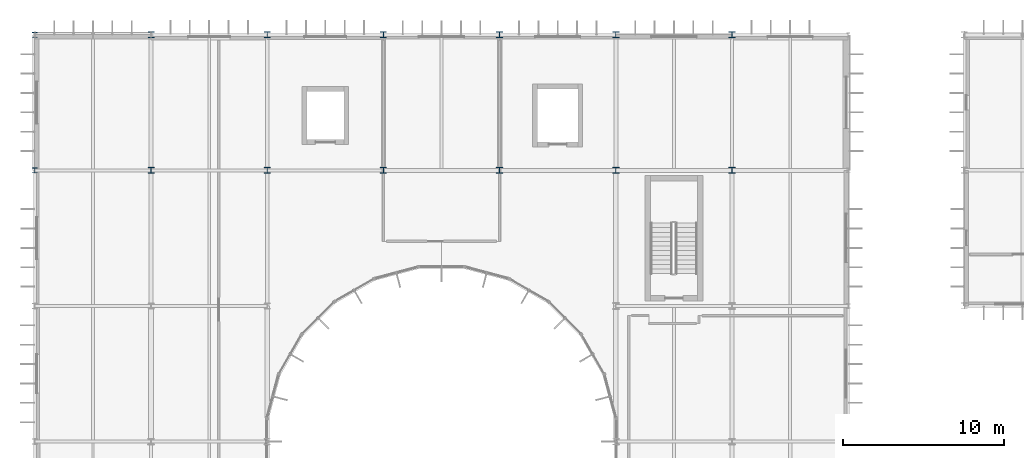
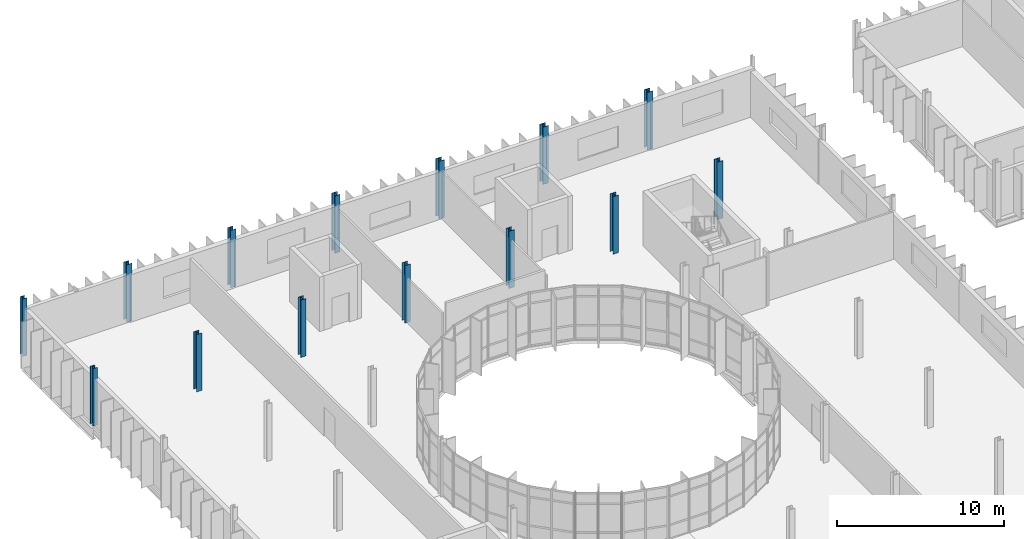
# One storey, part 15 of 119: 14 columns.
"""IFC4 building model written with IfcOpenShell, lengths in metres."""

from ifc_helpers import new_model, si_unit, direction, frame, origin, origin_2d, place, context, subcontext, project, spatial, i_section, extrude, material, material_profile, profile_set, type_object, element, save


model = new_model("IFC4")

# Units and contexts
model_context = context("Model", 3, precision=1e-05, world=origin(), true_north=direction((0.0, 1.0)))
body_context = subcontext(model_context, "Body", "Model", "MODEL_VIEW")
ifc_project = project(units=[si_unit("LENGTHUNIT", "METRE"), si_unit("AREAUNIT", "SQUARE_METRE"), si_unit("VOLUMEUNIT", "CUBIC_METRE"), si_unit("PLANEANGLEUNIT", "RADIAN"), si_unit("MASSUNIT", "GRAM", prefix="KILO")], contexts=[model_context])

# Site, building, storey
site_placement = place(None, origin())
site = spatial("IfcSite", under=ifc_project, at=site_placement, CompositionType="ELEMENT")
building_placement = place(site_placement, origin())
building = spatial("IfcBuilding", under=site, at=building_placement, Name="Qelthora Terrace Specialist Clinic", CompositionType="ELEMENT")
storey_placement = place(building_placement, frame((0.0, 0.0, 4.800048828125)))
storey = spatial("IfcBuildingStorey", under=building, at=storey_placement, Name="L01", CompositionType="ELEMENT", Elevation=4.800048828125)

# Columns
ifc_material = material(Name="Steel S355", Category="steel")
ifc_material_profile_1 = material_profile(ifc_material, i_section(OverallWidth=0.30810546875, OverallDepth=0.318115234375, WebThickness=0.01318359375, FlangeThickness=0.0205078125, FilletRadius=0.01611328125, at=origin_2d()), Name="W310X129")
ifc_profile_set_1 = profile_set([ifc_material_profile_1], Name="Steel S355")
column_type_1 = type_object("IfcColumnType", Name="COL-W310X129", PredefinedType="COLUMN", material=ifc_profile_set_1)
column_1_placement = place(storey_placement, frame((0.0, 100.800048828125, 0.0), z_axis=(0.0, 0.0, 1.0), x_axis=(1.0, 0.0, 0.0)))
element("IfcColumn", 1, at=column_1_placement, inside=storey, type_object=column_type_1, Name="Column L01-013", PredefinedType="COLUMN", context=body_context, shape_type="SweptSolid", body=[
    extrude(i_section(OverallWidth=0.30810546875, OverallDepth=0.318115234375, WebThickness=0.01318359375, FlangeThickness=0.0205078125, FilletRadius=0.01611328125, at=origin_2d()), origin(), (0.0, 0.0, 1.0), 4.199951171875),
])
ifc_material_profile_2 = material_profile(ifc_material, i_section(OverallWidth=0.30908203125, OverallDepth=0.322998046875, WebThickness=0.013916015625, FlangeThickness=0.02294921875, FilletRadius=0.01611328125, at=origin_2d()), Name="W310X143")
ifc_profile_set_2 = profile_set([ifc_material_profile_2], Name="Steel S355")
column_type_2 = type_object("IfcColumnType", Name="COL-W310X143", PredefinedType="COLUMN", material=ifc_profile_set_2)
column_2_placement = place(storey_placement, frame((0.0, 109.199951171875, 0.0), z_axis=(0.0, 0.0, 1.0), x_axis=(1.0, 0.0, 0.0)))
element("IfcColumn", 2, at=column_2_placement, inside=storey, type_object=column_type_2, Name="Column L01-014", PredefinedType="COLUMN", context=body_context, shape_type="SweptSolid", body=[
    extrude(i_section(OverallWidth=0.30908203125, OverallDepth=0.322998046875, WebThickness=0.013916015625, FlangeThickness=0.02294921875, FilletRadius=0.01611328125, at=origin_2d()), origin(), (0.0, 0.0, 1.0), 4.199951171875),
])
ifc_material_profile_3 = material_profile(ifc_material, i_section(OverallWidth=0.37109375, OverallDepth=0.364013671875, WebThickness=0.01318359375, FlangeThickness=0.021728515625, FilletRadius=0.02001953125, at=origin_2d()), Name="W360X162")
ifc_profile_set_3 = profile_set([ifc_material_profile_3], Name="Steel S355")
column_type_3 = type_object("IfcColumnType", Name="COL-W360X162", PredefinedType="COLUMN", material=ifc_profile_set_3)
for number, where, z_axis, x_axis, name in (
    (3, (14.39990234375, 100.800048828125, 0.0), (0.0, 0.0, 1.0), (1.0, 0.0, 0.0), "Column L01-041"),
    (4, (21.60009765625, 109.199951171875, 0.0), (0.0, 0.0, 1.0), (1.0, 0.0, 0.0), "Column L01-053"),
):
    element("IfcColumn", number, at=place(storey_placement, frame(where, z_axis=z_axis, x_axis=x_axis)), inside=storey, type_object=column_type_3, Name=name, PredefinedType="COLUMN", context=body_context, shape_type="SweptSolid", body=[
        extrude(i_section(OverallWidth=0.37109375, OverallDepth=0.364013671875, WebThickness=0.01318359375, FlangeThickness=0.021728515625, FilletRadius=0.02001953125, at=origin_2d()), origin(), (0.0, 0.0, 1.0), 4.199951171875),
    ])
ifc_material_profile_4 = material_profile(ifc_material, i_section(OverallWidth=0.373046875, OverallDepth=0.367919921875, WebThickness=0.014892578125, FlangeThickness=0.02392578125, FilletRadius=0.02001953125, at=origin_2d()), Name="W360X179")
ifc_profile_set_4 = profile_set([ifc_material_profile_4], Name="Steel S355")
column_type_4 = type_object("IfcColumnType", Name="COL-W360X179", PredefinedType="COLUMN", material=ifc_profile_set_4)
for number, where, z_axis, x_axis, name in (
    (5, (7.199951171875, 109.199951171875, 0.0), (0.0, 0.0, 1.0), (1.0, 0.0, 0.0), "Column L01-028"),
    (6, (21.60009765625, 100.800048828125, 0.0), (0.0, 0.0, 1.0), (1.0, 0.0, 0.0), "Column L01-052"),
):
    element("IfcColumn", number, at=place(storey_placement, frame(where, z_axis=z_axis, x_axis=x_axis)), inside=storey, type_object=column_type_4, Name=name, PredefinedType="COLUMN", context=body_context, shape_type="SweptSolid", body=[
        extrude(i_section(OverallWidth=0.373046875, OverallDepth=0.367919921875, WebThickness=0.014892578125, FlangeThickness=0.02392578125, FilletRadius=0.02001953125, at=origin_2d()), origin(), (0.0, 0.0, 1.0), 4.199951171875),
    ])
ifc_material_profile_5 = material_profile(ifc_material, i_section(OverallWidth=0.3740234375, OverallDepth=0.3720703125, WebThickness=0.016357421875, FlangeThickness=0.026123046875, FilletRadius=0.02001953125, at=origin_2d()), Name="W360X196")
ifc_profile_set_5 = profile_set([ifc_material_profile_5], Name="Steel S355")
column_type_5 = type_object("IfcColumnType", Name="COL-W360X196", PredefinedType="COLUMN", material=ifc_profile_set_5)
for number, where, z_axis, x_axis, name in (
    (7, (7.199951171875, 100.800048828125, 0.0), (0.0, 0.0, 1.0), (1.0, 0.0, 0.0), "Column L01-027"),
    (8, (14.39990234375, 109.199951171875, 0.0), (0.0, 0.0, 1.0), (1.0, 0.0, 0.0), "Column L01-042"),
):
    element("IfcColumn", number, at=place(storey_placement, frame(where, z_axis=z_axis, x_axis=x_axis)), inside=storey, type_object=column_type_5, Name=name, PredefinedType="COLUMN", context=body_context, shape_type="SweptSolid", body=[
        extrude(i_section(OverallWidth=0.3740234375, OverallDepth=0.3720703125, WebThickness=0.016357421875, FlangeThickness=0.026123046875, FilletRadius=0.02001953125, at=origin_2d()), origin(), (0.0, 0.0, 1.0), 4.199951171875),
    ])
ifc_material_profile_6 = material_profile(ifc_material, i_section(OverallWidth=0.39404296875, OverallDepth=0.375, WebThickness=0.017333984375, FlangeThickness=0.027587890625, FilletRadius=0.02001953125, at=origin_2d()), Name="W360X216")
ifc_profile_set_6 = profile_set([ifc_material_profile_6], Name="Steel S355")
column_type_6 = type_object("IfcColumnType", Name="COL-W360X216", PredefinedType="COLUMN", material=ifc_profile_set_6)
for number, where, z_axis, x_axis, name in (
    (9, (28.800048828125, 100.800048828125, 0.0), (0.0, 0.0, 1.0), (1.0, 0.0, 0.0), "Column L01-063"),
    (10, (36.0, 100.800048828125, 0.0), (0.0, 0.0, 1.0), (1.0, 0.0, 0.0), "Column L01-077"),
    (11, (43.199951171875, 100.800048828125, 0.0), (0.0, 0.0, 1.0), (1.0, 0.0, 0.0), "Column L01-091"),
):
    element("IfcColumn", number, at=place(storey_placement, frame(where, z_axis=z_axis, x_axis=x_axis)), inside=storey, type_object=column_type_6, Name=name, PredefinedType="COLUMN", context=body_context, shape_type="SweptSolid", body=[
        extrude(i_section(OverallWidth=0.39404296875, OverallDepth=0.375, WebThickness=0.017333984375, FlangeThickness=0.027587890625, FilletRadius=0.02001953125, at=origin_2d()), origin(), (0.0, 0.0, 1.0), 4.199951171875),
    ])
ifc_material_profile_7 = material_profile(ifc_material, i_section(OverallWidth=0.39501953125, OverallDepth=0.3798828125, WebThickness=0.018798828125, FlangeThickness=0.0302734375, FilletRadius=0.02001953125, at=origin_2d()), Name="W360X237")
ifc_profile_set_7 = profile_set([ifc_material_profile_7], Name="Steel S355")
column_type_7 = type_object("IfcColumnType", Name="COL-W360X237", PredefinedType="COLUMN", material=ifc_profile_set_7)
for number, where, z_axis, x_axis, name in (
    (12, (28.800048828125, 109.199951171875, 0.0), (0.0, 0.0, 1.0), (1.0, 0.0, 0.0), "Column L01-064"),
    (13, (36.0, 109.199951171875, 0.0), (0.0, 0.0, 1.0), (1.0, 0.0, 0.0), "Column L01-078"),
    (14, (43.199951171875, 109.199951171875, 0.0), (0.0, 0.0, 1.0), (1.0, 0.0, 0.0), "Column L01-092"),
):
    element("IfcColumn", number, at=place(storey_placement, frame(where, z_axis=z_axis, x_axis=x_axis)), inside=storey, type_object=column_type_7, Name=name, PredefinedType="COLUMN", context=body_context, shape_type="SweptSolid", body=[
        extrude(i_section(OverallWidth=0.39501953125, OverallDepth=0.3798828125, WebThickness=0.018798828125, FlangeThickness=0.0302734375, FilletRadius=0.02001953125, at=origin_2d()), origin(), (0.0, 0.0, 1.0), 4.199951171875),
    ])

save(model, "model.ifc")
